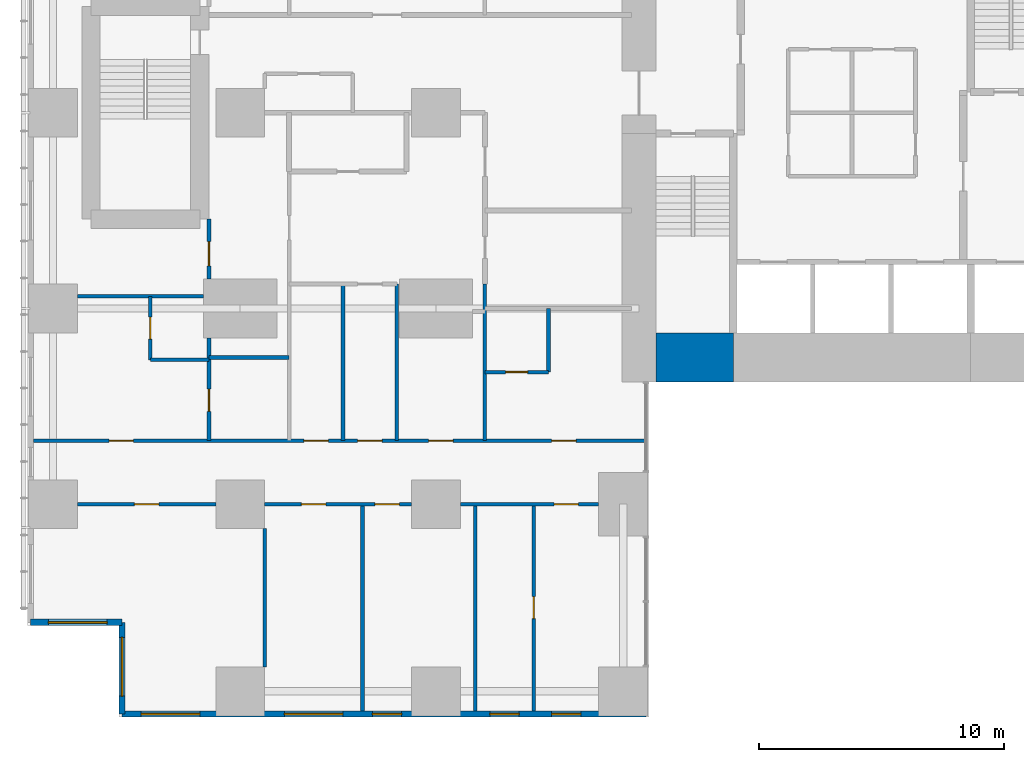
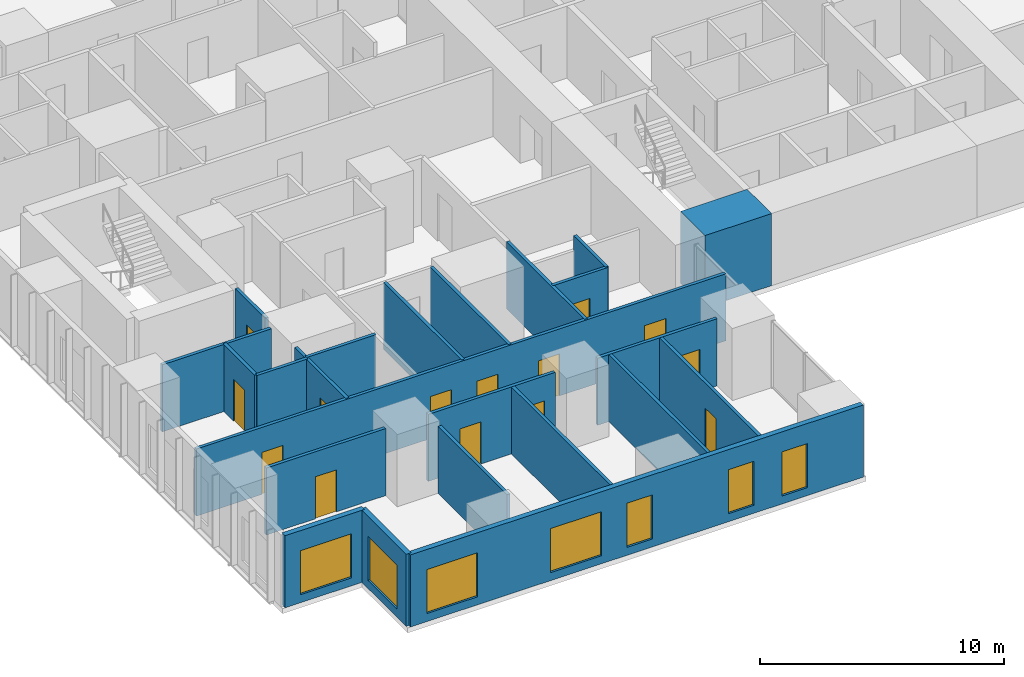
# One storey, part 12 of 20: 23 walls, 14 doors, 7 windows, 21 openings.
"""IFC4 building model written with IfcOpenShell, lengths in metres."""

from ifc_helpers import new_model, si_unit, direction, frame, frame_2d, origin, place, context, subcontext, project, spatial, rectangle, extrude, material, layer, layer_set, type_object, element, fill, save


model = new_model("IFC4")

# Units and contexts
model_context = context("Model", 3, precision=1e-05, world=origin(), true_north=direction((0.0, 1.0)))
body_context = subcontext(model_context, "Body", "Model", "MODEL_VIEW")
ifc_project = project(units=[si_unit("LENGTHUNIT", "METRE"), si_unit("AREAUNIT", "SQUARE_METRE"), si_unit("VOLUMEUNIT", "CUBIC_METRE"), si_unit("PLANEANGLEUNIT", "RADIAN"), si_unit("MASSUNIT", "GRAM", prefix="KILO")], contexts=[model_context])

# Site, building, storey
site_placement = place(None, origin())
site = spatial("IfcSite", under=ifc_project, at=site_placement, CompositionType="ELEMENT")
building_placement = place(site_placement, origin())
building = spatial("IfcBuilding", under=site, at=building_placement, Name="Cleftline Residences", CompositionType="ELEMENT")
storey_placement = place(building_placement, frame((0.0, 0.0, 139.39990234375)))
storey = spatial("IfcBuildingStorey", under=building, at=storey_placement, Name="L36", CompositionType="ELEMENT", Elevation=139.39990234375)

# Wall
ifc_material_1 = material(Name="Concrete B70", Category="concrete")
ifc_layer_1 = layer(ifc_material_1, 2.0)
ifc_layer_set_1 = layer_set([ifc_layer_1], Name="CORE WALL 2000")
wall_type_1 = type_object("IfcWallType", Name="CORE WALL 2000", PredefinedType="SHEAR", material=ifc_layer_set_1)
wall_1_placement = place(storey_placement, frame((25.0, 14.0, 0.0), z_axis=(0.0, 0.0, 1.0), x_axis=(1.0, 0.0, 0.0)))
element("IfcWall", 1, at=wall_1_placement, inside=storey, type_object=wall_type_1, Name="Core wall S1", PredefinedType="SHEAR", context=body_context, shape_type="SweptSolid", body=[
    extrude(rectangle(XDim=3.14990234375, YDim=2.0, at=frame_2d((1.574951171875, 0.0))), origin(), (0.0, 0.0, 1.0), 3.60009765625),
])

# Wall, opening, window
ifc_material_2 = material(Name="Rendered reinforced concrete blockwork", Category="masonry")
ifc_layer_2 = layer(ifc_material_2, 0.25)
ifc_layer_set_2 = layer_set([ifc_layer_2], Name="EXTERNAL WALL 250")
wall_type_2 = type_object("IfcWallType", Name="EXTERNAL WALL 250", PredefinedType="SOLIDWALL", material=ifc_layer_set_2)
wall_2_placement = place(storey_placement, frame((-0.574951171875, 3.175048828125, 0.0), z_axis=(0.0, 0.0, 1.0), x_axis=(1.0, 0.0, 0.0)))
wall_2 = element("IfcWall", 2, at=wall_2_placement, inside=storey, type_object=wall_type_2, Name="External wall", PredefinedType="SOLIDWALL", context=body_context, shape_type="SweptSolid", body=[
    extrude(rectangle(XDim=3.75, YDim=0.25, at=frame_2d((1.875, 0.0))), origin(), (0.0, 0.0, 1.0), 3.60009765625),
])
opening_1_placement = place(wall_2_placement, frame((0.737548828125, 0.0, 0.39990234375)))
opening_1 = element("IfcOpeningElement", 3, at=opening_1_placement, cuts=wall_2, Name="Opening W12", PredefinedType="OPENING", context=body_context, shape_type="SweptSolid", body=[
    extrude(rectangle(XDim=2.39990234375, YDim=2.199951171875, at=frame_2d((1.199951171875, 1.10009765625))), frame((0.0, 0.135009765625, 0.0), z_axis=(0.0, -1.0, 0.0), x_axis=(1.0, 0.0, 0.0)), (0.0, 0.0, 1.0), 0.27001953125),
])
ifc_material_3 = material(Name="Aluminium frame, clear double glazing", Category="aluminium")
window_type_1 = type_object("IfcWindowType", Name="WINDOW 2400X2200", PartitioningType="DOUBLE_PANEL_VERTICAL", PredefinedType="WINDOW", material=ifc_material_3)
window_1_placement = place(opening_1_placement, origin())
window_1 = element("IfcWindow", 4, at=window_1_placement, inside=storey, type_object=window_type_1, Name="Window", OverallHeight=2.199951171875, OverallWidth=2.39990234375, PartitioningType="SINGLE_PANEL", PredefinedType="WINDOW", context=body_context, shape_type="SweptSolid", body=[
    extrude(rectangle(XDim=2.39990234375, YDim=2.199951171875, at=frame_2d((1.199951171875, 1.10009765625))), frame((0.0, 0.030029296875, 0.0), z_axis=(0.0, -1.0, 0.0), x_axis=(1.0, 0.0, 0.0)), (0.0, 0.0, 1.0), 0.06005859375),
])
fill(opening_1, window_1)

wall_3_placement = place(storey_placement, frame((3.175048828125, 3.175048828125, 0.0), z_axis=(0.0, 0.0, 1.0), x_axis=(0.0, -1.0, 0.0)))
wall_3 = element("IfcWall", 5, at=wall_3_placement, inside=storey, type_object=wall_type_2, Name="External wall", PredefinedType="SOLIDWALL", context=body_context, shape_type="SweptSolid", body=[
    extrude(rectangle(XDim=3.75, YDim=0.25, at=frame_2d((1.875, 0.0))), origin(), (0.0, 0.0, 1.0), 3.60009765625),
])
opening_2_placement = place(wall_3_placement, frame((0.612548828125, 0.0, 0.39990234375)))
opening_2 = element("IfcOpeningElement", 6, at=opening_2_placement, cuts=wall_3, Name="Opening W12", PredefinedType="OPENING", context=body_context, shape_type="SweptSolid", body=[
    extrude(rectangle(XDim=2.39990234375, YDim=2.199951171875, at=frame_2d((1.199951171875, 1.10009765625))), frame((0.0, 0.135009765625, 0.0), z_axis=(0.0, -1.0, 0.0), x_axis=(1.0, 0.0, 0.0)), (0.0, 0.0, 1.0), 0.27001953125),
])
window_2_placement = place(opening_2_placement, origin())
window_2 = element("IfcWindow", 7, at=window_2_placement, inside=storey, type_object=window_type_1, Name="Window", OverallHeight=2.199951171875, OverallWidth=2.39990234375, PartitioningType="SINGLE_PANEL", PredefinedType="WINDOW", context=body_context, shape_type="SweptSolid", body=[
    extrude(rectangle(XDim=2.39990234375, YDim=2.199951171875, at=frame_2d((1.199951171875, 1.10009765625))), frame((0.0, 0.030029296875, 0.0), z_axis=(0.0, -1.0, 0.0), x_axis=(1.0, 0.0, 0.0)), (0.0, 0.0, 1.0), 0.06005859375),
])
fill(opening_2, window_2)

# Wall, openings, windows
wall_4_placement = place(storey_placement, frame((3.175048828125, -0.574951171875, 0.0), z_axis=(0.0, 0.0, 1.0), x_axis=(1.0, 0.0, 0.0)))
wall_4 = element("IfcWall", 8, at=wall_4_placement, inside=storey, type_object=wall_type_2, Name="External wall", PredefinedType="SOLIDWALL", context=body_context, shape_type="SweptSolid", body=[
    extrude(rectangle(XDim=21.39990234375, YDim=0.25, at=frame_2d((10.699951171875, 0.0))), origin(), (0.0, 0.0, 1.0), 3.60009765625),
])
opening_3_placement = place(wall_4_placement, frame((0.77490234375, 0.0, 0.39990234375)))
opening_3 = element("IfcOpeningElement", 9, at=opening_3_placement, cuts=wall_4, Name="Opening W12", PredefinedType="OPENING", context=body_context, shape_type="SweptSolid", body=[
    extrude(rectangle(XDim=2.39990234375, YDim=2.199951171875, at=frame_2d((1.199951171875, 1.10009765625))), frame((0.0, 0.135009765625, 0.0), z_axis=(0.0, -1.0, 0.0), x_axis=(1.0, 0.0, 0.0)), (0.0, 0.0, 1.0), 0.27001953125),
])
opening_4_placement = place(wall_4_placement, frame((6.625, 0.0, 0.39990234375)))
opening_4 = element("IfcOpeningElement", 10, at=opening_4_placement, cuts=wall_4, Name="Opening W12", PredefinedType="OPENING", context=body_context, shape_type="SweptSolid", body=[
    extrude(rectangle(XDim=2.39990234375, YDim=2.199951171875, at=frame_2d((1.199951171875, 1.10009765625))), frame((0.0, 0.135009765625, 0.0), z_axis=(0.0, -1.0, 0.0), x_axis=(1.0, 0.0, 0.0)), (0.0, 0.0, 1.0), 0.27001953125),
])
opening_5_placement = place(wall_4_placement, frame((10.22509765625, 0.0, 0.39990234375)))
opening_5 = element("IfcOpeningElement", 11, at=opening_5_placement, cuts=wall_4, Name="Opening W11", PredefinedType="OPENING", context=body_context, shape_type="SweptSolid", body=[
    extrude(rectangle(XDim=1.199951171875, YDim=2.199951171875, at=frame_2d((0.60009765625, 1.10009765625))), frame((0.0, 0.135009765625, 0.0), z_axis=(0.0, -1.0, 0.0), x_axis=(1.0, 0.0, 0.0)), (0.0, 0.0, 1.0), 0.27001953125),
])
opening_6_placement = place(wall_4_placement, frame((15.02490234375, 0.0, 0.39990234375)))
opening_6 = element("IfcOpeningElement", 12, at=opening_6_placement, cuts=wall_4, Name="Opening W11", PredefinedType="OPENING", context=body_context, shape_type="SweptSolid", body=[
    extrude(rectangle(XDim=1.199951171875, YDim=2.199951171875, at=frame_2d((0.60009765625, 1.10009765625))), frame((0.0, 0.135009765625, 0.0), z_axis=(0.0, -1.0, 0.0), x_axis=(1.0, 0.0, 0.0)), (0.0, 0.0, 1.0), 0.27001953125),
])
opening_7_placement = place(wall_4_placement, frame((17.550048828125, 0.0, 0.39990234375)))
opening_7 = element("IfcOpeningElement", 13, at=opening_7_placement, cuts=wall_4, Name="Opening W11", PredefinedType="OPENING", context=body_context, shape_type="SweptSolid", body=[
    extrude(rectangle(XDim=1.199951171875, YDim=2.199951171875, at=frame_2d((0.60009765625, 1.10009765625))), frame((0.0, 0.135009765625, 0.0), z_axis=(0.0, -1.0, 0.0), x_axis=(1.0, 0.0, 0.0)), (0.0, 0.0, 1.0), 0.27001953125),
])
ifc_material_4 = material(Name="Aluminium frame, clear double glazing", Category="aluminium")
window_type_2 = type_object("IfcWindowType", Name="WINDOW 1200X2200", PartitioningType="DOUBLE_PANEL_VERTICAL", PredefinedType="WINDOW", material=ifc_material_4)
window_3_placement = place(opening_5_placement, origin())
window_3 = element("IfcWindow", 14, at=window_3_placement, inside=storey, type_object=window_type_2, Name="Window", OverallHeight=2.199951171875, OverallWidth=1.199951171875, PartitioningType="SINGLE_PANEL", PredefinedType="WINDOW", context=body_context, shape_type="SweptSolid", body=[
    extrude(rectangle(XDim=1.199951171875, YDim=2.199951171875, at=frame_2d((0.60009765625, 1.10009765625))), frame((0.0, 0.030029296875, 0.0), z_axis=(0.0, -1.0, 0.0), x_axis=(1.0, 0.0, 0.0)), (0.0, 0.0, 1.0), 0.06005859375),
])
fill(opening_5, window_3)
window_4_placement = place(opening_6_placement, origin())
window_4 = element("IfcWindow", 15, at=window_4_placement, inside=storey, type_object=window_type_2, Name="Window", OverallHeight=2.199951171875, OverallWidth=1.199951171875, PartitioningType="SINGLE_PANEL", PredefinedType="WINDOW", context=body_context, shape_type="SweptSolid", body=[
    extrude(rectangle(XDim=1.199951171875, YDim=2.199951171875, at=frame_2d((0.60009765625, 1.10009765625))), frame((0.0, 0.030029296875, 0.0), z_axis=(0.0, -1.0, 0.0), x_axis=(1.0, 0.0, 0.0)), (0.0, 0.0, 1.0), 0.06005859375),
])
fill(opening_6, window_4)
window_5_placement = place(opening_7_placement, origin())
window_5 = element("IfcWindow", 16, at=window_5_placement, inside=storey, type_object=window_type_2, Name="Window", OverallHeight=2.199951171875, OverallWidth=1.199951171875, PartitioningType="SINGLE_PANEL", PredefinedType="WINDOW", context=body_context, shape_type="SweptSolid", body=[
    extrude(rectangle(XDim=1.199951171875, YDim=2.199951171875, at=frame_2d((0.60009765625, 1.10009765625))), frame((0.0, 0.030029296875, 0.0), z_axis=(0.0, -1.0, 0.0), x_axis=(1.0, 0.0, 0.0)), (0.0, 0.0, 1.0), 0.06005859375),
])
fill(opening_7, window_5)
window_6_placement = place(opening_3_placement, origin())
window_6 = element("IfcWindow", 17, at=window_6_placement, inside=storey, type_object=window_type_1, Name="Window", OverallHeight=2.199951171875, OverallWidth=2.39990234375, PartitioningType="SINGLE_PANEL", PredefinedType="WINDOW", context=body_context, shape_type="SweptSolid", body=[
    extrude(rectangle(XDim=2.39990234375, YDim=2.199951171875, at=frame_2d((1.199951171875, 1.10009765625))), frame((0.0, 0.030029296875, 0.0), z_axis=(0.0, -1.0, 0.0), x_axis=(1.0, 0.0, 0.0)), (0.0, 0.0, 1.0), 0.06005859375),
])
fill(opening_3, window_6)
window_7_placement = place(opening_4_placement, origin())
window_7 = element("IfcWindow", 18, at=window_7_placement, inside=storey, type_object=window_type_1, Name="Window", OverallHeight=2.199951171875, OverallWidth=2.39990234375, PartitioningType="SINGLE_PANEL", PredefinedType="WINDOW", context=body_context, shape_type="SweptSolid", body=[
    extrude(rectangle(XDim=2.39990234375, YDim=2.199951171875, at=frame_2d((1.199951171875, 1.10009765625))), frame((0.0, 0.030029296875, 0.0), z_axis=(0.0, -1.0, 0.0), x_axis=(1.0, 0.0, 0.0)), (0.0, 0.0, 1.0), 0.06005859375),
])
fill(opening_4, window_7)

# Wall, opening, door
ifc_material_5 = material(Name="Gypsum board on steel studs", Category="steel")
ifc_layer_3 = layer(ifc_material_5, 0.14990234375)
ifc_layer_set_3 = layer_set([ifc_layer_3], Name="PARTITION 150")
wall_type_3 = type_object("IfcWallType", Name="PARTITION 150", PredefinedType="PARTITIONING", material=ifc_layer_set_3)
wall_5_placement = place(storey_placement, frame((1.35009765625, 8.0, 0.0), z_axis=(0.0, 0.0, 1.0), x_axis=(1.0, 0.0, 0.0)))
wall_5 = element("IfcWall", 19, at=wall_5_placement, inside=storey, type_object=wall_type_3, Name="Partition", PredefinedType="PARTITIONING", context=body_context, shape_type="SweptSolid", body=[
    extrude(rectangle(XDim=5.64990234375, YDim=0.14990234375, at=frame_2d((2.824951171875, 0.0))), origin(), (0.0, 0.0, 1.0), 3.35009765625),
])
opening_8_placement = place(wall_5_placement, frame((2.324951171875, 0.0, 0.0)))
opening_8 = element("IfcOpeningElement", 20, at=opening_8_placement, cuts=wall_5, Name="Opening D2", PredefinedType="OPENING", context=body_context, shape_type="SweptSolid", body=[
    extrude(rectangle(XDim=1.0, YDim=2.10009765625, at=frame_2d((0.5, 1.050048828125))), frame((0.0, 0.0849609375, 0.0), z_axis=(0.0, -1.0, 0.0), x_axis=(1.0, 0.0, 0.0)), (0.0, 0.0, 1.0), 0.169921875),
])
ifc_material_6 = material(Name="Timber veneer on solid core", Category="wood")
door_type_1 = type_object("IfcDoorType", Name="DOOR 1000X2100", OperationType="SINGLE_SWING_LEFT", PredefinedType="DOOR", material=ifc_material_6)
door_1_placement = place(opening_8_placement, origin())
door_1 = element("IfcDoor", 21, at=door_1_placement, inside=storey, type_object=door_type_1, Name="Door to living room", OperationType="SINGLE_SWING_LEFT", OverallHeight=2.10009765625, OverallWidth=1.0, PredefinedType="DOOR", context=body_context, shape_type="SweptSolid", body=[
    extrude(rectangle(XDim=1.0, YDim=2.10009765625, at=frame_2d((0.5, 1.050048828125))), frame((0.0, 0.02490234375, 0.0), z_axis=(0.0, -1.0, 0.0), x_axis=(1.0, 0.0, 0.0)), (0.0, 0.0, 1.0), 0.050048828125),
])
fill(opening_8, door_1)

# Wall, openings, doors
wall_6_placement = place(storey_placement, frame((9.0, 8.0, 0.0), z_axis=(0.0, 0.0, 1.0), x_axis=(1.0, 0.0, 0.0)))
wall_6 = element("IfcWall", 22, at=wall_6_placement, inside=storey, type_object=wall_type_3, Name="Partition", PredefinedType="PARTITIONING", context=body_context, shape_type="SweptSolid", body=[
    extrude(rectangle(XDim=6.0, YDim=0.14990234375, at=frame_2d((3.0, 0.0))), origin(), (0.0, 0.0, 1.0), 3.35009765625),
])
opening_9_placement = place(wall_6_placement, frame((1.5, 0.0, 0.0)))
opening_9 = element("IfcOpeningElement", 23, at=opening_9_placement, cuts=wall_6, Name="Opening D2", PredefinedType="OPENING", context=body_context, shape_type="SweptSolid", body=[
    extrude(rectangle(XDim=1.0, YDim=2.10009765625, at=frame_2d((0.5, 1.050048828125))), frame((0.0, 0.0849609375, 0.0), z_axis=(0.0, -1.0, 0.0), x_axis=(1.0, 0.0, 0.0)), (0.0, 0.0, 1.0), 0.169921875),
])
opening_10_placement = place(wall_6_placement, frame((4.5, 0.0, 0.0)))
opening_10 = element("IfcOpeningElement", 24, at=opening_10_placement, cuts=wall_6, Name="Opening D2", PredefinedType="OPENING", context=body_context, shape_type="SweptSolid", body=[
    extrude(rectangle(XDim=1.0, YDim=2.10009765625, at=frame_2d((0.5, 1.050048828125))), frame((0.0, 0.0849609375, 0.0), z_axis=(0.0, -1.0, 0.0), x_axis=(1.0, 0.0, 0.0)), (0.0, 0.0, 1.0), 0.169921875),
])
door_2_placement = place(opening_9_placement, origin())
door_2 = element("IfcDoor", 25, at=door_2_placement, inside=storey, type_object=door_type_1, Name="Door to dining room", OperationType="SINGLE_SWING_RIGHT", OverallHeight=2.10009765625, OverallWidth=1.0, PredefinedType="DOOR", context=body_context, shape_type="SweptSolid", body=[
    extrude(rectangle(XDim=1.0, YDim=2.10009765625, at=frame_2d((0.5, 1.050048828125))), frame((0.0, 0.02490234375, 0.0), z_axis=(0.0, -1.0, 0.0), x_axis=(1.0, 0.0, 0.0)), (0.0, 0.0, 1.0), 0.050048828125),
])
fill(opening_9, door_2)
door_3_placement = place(opening_10_placement, origin())
door_3 = element("IfcDoor", 26, at=door_3_placement, inside=storey, type_object=door_type_1, Name="Door to show kitchen", OperationType="SINGLE_SWING_LEFT", OverallHeight=2.10009765625, OverallWidth=1.0, PredefinedType="DOOR", context=body_context, shape_type="SweptSolid", body=[
    extrude(rectangle(XDim=1.0, YDim=2.10009765625, at=frame_2d((0.5, 1.050048828125))), frame((0.0, 0.02490234375, 0.0), z_axis=(0.0, -1.0, 0.0), x_axis=(1.0, 0.0, 0.0)), (0.0, 0.0, 1.0), 0.050048828125),
])
fill(opening_10, door_3)

# Wall, opening, door
wall_7_placement = place(storey_placement, frame((17.0, 8.0, 0.0), z_axis=(0.0, 0.0, 1.0), x_axis=(1.0, 0.0, 0.0)))
wall_7 = element("IfcWall", 27, at=wall_7_placement, inside=storey, type_object=wall_type_3, Name="Partition", PredefinedType="PARTITIONING", context=body_context, shape_type="SweptSolid", body=[
    extrude(rectangle(XDim=5.64990234375, YDim=0.14990234375, at=frame_2d((2.824951171875, 0.0))), origin(), (0.0, 0.0, 1.0), 3.35009765625),
])
opening_11_placement = place(wall_7_placement, frame((3.824951171875, 0.0, 0.0)))
opening_11 = element("IfcOpeningElement", 28, at=opening_11_placement, cuts=wall_7, Name="Opening D2", PredefinedType="OPENING", context=body_context, shape_type="SweptSolid", body=[
    extrude(rectangle(XDim=1.0, YDim=2.10009765625, at=frame_2d((0.5, 1.050048828125))), frame((0.0, 0.0849609375, 0.0), z_axis=(0.0, -1.0, 0.0), x_axis=(1.0, 0.0, 0.0)), (0.0, 0.0, 1.0), 0.169921875),
])
door_4_placement = place(opening_11_placement, origin())
door_4 = element("IfcDoor", 29, at=door_4_placement, inside=storey, type_object=door_type_1, Name="Door to bedroom 2", OperationType="SINGLE_SWING_LEFT", OverallHeight=2.10009765625, OverallWidth=1.0, PredefinedType="DOOR", context=body_context, shape_type="SweptSolid", body=[
    extrude(rectangle(XDim=1.0, YDim=2.10009765625, at=frame_2d((0.5, 1.050048828125))), frame((0.0, 0.02490234375, 0.0), z_axis=(0.0, -1.0, 0.0), x_axis=(1.0, 0.0, 0.0)), (0.0, 0.0, 1.0), 0.050048828125),
])
fill(opening_11, door_4)

# Wall, openings, doors
wall_8_placement = place(storey_placement, frame((-0.449951171875, 10.60009765625, 0.0), z_axis=(0.0, 0.0, 1.0), x_axis=(1.0, 0.0, 0.0)))
wall_8 = element("IfcWall", 30, at=wall_8_placement, inside=storey, type_object=wall_type_3, Name="Partition", PredefinedType="PARTITIONING", context=body_context, shape_type="SweptSolid", body=[
    extrude(rectangle(XDim=25.010986328125, YDim=0.14990234375, at=frame_2d((12.50537109375, 0.0))), origin(), (0.0, 0.0, 1.0), 3.35009765625),
])
opening_12_placement = place(wall_8_placement, frame((13.25, 0.0, 0.0)))
opening_12 = element("IfcOpeningElement", 31, at=opening_12_placement, cuts=wall_8, Name="Opening D2", PredefinedType="OPENING", context=body_context, shape_type="SweptSolid", body=[
    extrude(rectangle(XDim=1.0, YDim=2.10009765625, at=frame_2d((0.5, 1.050048828125))), frame((0.0, 0.0849609375, 0.0), z_axis=(0.0, -1.0, 0.0), x_axis=(1.0, 0.0, 0.0)), (0.0, 0.0, 1.0), 0.169921875),
])
opening_13_placement = place(wall_8_placement, frame((3.08740234375, 0.0, 0.0)))
opening_13 = element("IfcOpeningElement", 32, at=opening_13_placement, cuts=wall_8, Name="Opening D2", PredefinedType="OPENING", context=body_context, shape_type="SweptSolid", body=[
    extrude(rectangle(XDim=1.0, YDim=2.10009765625, at=frame_2d((0.5, 1.050048828125))), frame((0.0, 0.0849609375, 0.0), z_axis=(0.0, -1.0, 0.0), x_axis=(1.0, 0.0, 0.0)), (0.0, 0.0, 1.0), 0.169921875),
])
opening_14_placement = place(wall_8_placement, frame((11.050048828125, 0.0, 0.0)))
opening_14 = element("IfcOpeningElement", 33, at=opening_14_placement, cuts=wall_8, Name="Opening D2", PredefinedType="OPENING", context=body_context, shape_type="SweptSolid", body=[
    extrude(rectangle(XDim=1.0, YDim=2.10009765625, at=frame_2d((0.5, 1.050048828125))), frame((0.0, 0.0849609375, 0.0), z_axis=(0.0, -1.0, 0.0), x_axis=(1.0, 0.0, 0.0)), (0.0, 0.0, 1.0), 0.169921875),
])
opening_15_placement = place(wall_8_placement, frame((16.14990234375, 0.0, 0.0)))
opening_15 = element("IfcOpeningElement", 34, at=opening_15_placement, cuts=wall_8, Name="Opening D2", PredefinedType="OPENING", context=body_context, shape_type="SweptSolid", body=[
    extrude(rectangle(XDim=1.0, YDim=2.10009765625, at=frame_2d((0.5, 1.050048828125))), frame((0.0, 0.0849609375, 0.0), z_axis=(0.0, -1.0, 0.0), x_axis=(1.0, 0.0, 0.0)), (0.0, 0.0, 1.0), 0.169921875),
])
opening_16_placement = place(wall_8_placement, frame((21.175048828125, 0.0, 0.0)))
opening_16 = element("IfcOpeningElement", 35, at=opening_16_placement, cuts=wall_8, Name="Opening D2", PredefinedType="OPENING", context=body_context, shape_type="SweptSolid", body=[
    extrude(rectangle(XDim=1.0, YDim=2.10009765625, at=frame_2d((0.5, 1.050048828125))), frame((0.0, 0.0849609375, 0.0), z_axis=(0.0, -1.0, 0.0), x_axis=(1.0, 0.0, 0.0)), (0.0, 0.0, 1.0), 0.169921875),
])
door_5_placement = place(opening_12_placement, origin())
door_5 = element("IfcDoor", 36, at=door_5_placement, inside=storey, type_object=door_type_1, Name="Door to residence hall", OperationType="SINGLE_SWING_LEFT", OverallHeight=2.10009765625, OverallWidth=1.0, PredefinedType="DOOR", context=body_context, shape_type="SweptSolid", body=[
    extrude(rectangle(XDim=1.0, YDim=2.10009765625, at=frame_2d((0.5, 1.050048828125))), frame((0.0, 0.02490234375, 0.0), z_axis=(0.0, -1.0, 0.0), x_axis=(1.0, 0.0, 0.0)), (0.0, 0.0, 1.0), 0.050048828125),
])
fill(opening_12, door_5)
door_6_placement = place(opening_13_placement, origin())
door_6 = element("IfcDoor", 37, at=door_6_placement, inside=storey, type_object=door_type_1, Name="Door to master bedroom", OperationType="SINGLE_SWING_RIGHT", OverallHeight=2.10009765625, OverallWidth=1.0, PredefinedType="DOOR", context=body_context, shape_type="SweptSolid", body=[
    extrude(rectangle(XDim=1.0, YDim=2.10009765625, at=frame_2d((0.5, 1.050048828125))), frame((0.0, 0.02490234375, 0.0), z_axis=(0.0, -1.0, 0.0), x_axis=(1.0, 0.0, 0.0)), (0.0, 0.0, 1.0), 0.050048828125),
])
fill(opening_13, door_6)
door_7_placement = place(opening_14_placement, origin())
door_7 = element("IfcDoor", 38, at=door_7_placement, inside=storey, type_object=door_type_1, Name="Door to wet kitchen", OperationType="SINGLE_SWING_RIGHT", OverallHeight=2.10009765625, OverallWidth=1.0, PredefinedType="DOOR", context=body_context, shape_type="SweptSolid", body=[
    extrude(rectangle(XDim=1.0, YDim=2.10009765625, at=frame_2d((0.5, 1.050048828125))), frame((0.0, 0.02490234375, 0.0), z_axis=(0.0, -1.0, 0.0), x_axis=(1.0, 0.0, 0.0)), (0.0, 0.0, 1.0), 0.050048828125),
])
fill(opening_14, door_7)
door_8_placement = place(opening_15_placement, origin())
door_8 = element("IfcDoor", 39, at=door_8_placement, inside=storey, type_object=door_type_1, Name="Door to family room", OperationType="SINGLE_SWING_LEFT", OverallHeight=2.10009765625, OverallWidth=1.0, PredefinedType="DOOR", context=body_context, shape_type="SweptSolid", body=[
    extrude(rectangle(XDim=1.0, YDim=2.10009765625, at=frame_2d((0.5, 1.050048828125))), frame((0.0, 0.02490234375, 0.0), z_axis=(0.0, -1.0, 0.0), x_axis=(1.0, 0.0, 0.0)), (0.0, 0.0, 1.0), 0.050048828125),
])
fill(opening_15, door_8)
door_9_placement = place(opening_16_placement, origin())
door_9 = element("IfcDoor", 40, at=door_9_placement, inside=storey, type_object=door_type_1, Name="Door to bedroom 3", OperationType="SINGLE_SWING_LEFT", OverallHeight=2.10009765625, OverallWidth=1.0, PredefinedType="DOOR", context=body_context, shape_type="SweptSolid", body=[
    extrude(rectangle(XDim=1.0, YDim=2.10009765625, at=frame_2d((0.5, 1.050048828125))), frame((0.0, 0.02490234375, 0.0), z_axis=(0.0, -1.0, 0.0), x_axis=(1.0, 0.0, 0.0)), (0.0, 0.0, 1.0), 0.050048828125),
])
fill(opening_16, door_9)

# Wall, opening, door
wall_9_placement = place(storey_placement, frame((18.0, 13.39990234375, 0.0), z_axis=(0.0, 0.0, 1.0), x_axis=(1.0, 0.0, 0.0)))
wall_9 = element("IfcWall", 41, at=wall_9_placement, inside=storey, type_object=wall_type_3, Name="Partition", PredefinedType="PARTITIONING", context=body_context, shape_type="SweptSolid", body=[
    extrude(rectangle(XDim=2.60009765625, YDim=0.14990234375, at=frame_2d((1.300048828125, 0.0))), origin(), (0.0, 0.0, 1.0), 3.35009765625),
])
opening_17_placement = place(wall_9_placement, frame((0.85009765625, 0.0, 0.0)))
opening_17 = element("IfcOpeningElement", 42, at=opening_17_placement, cuts=wall_9, Name="Opening D1", PredefinedType="OPENING", context=body_context, shape_type="SweptSolid", body=[
    extrude(rectangle(XDim=0.89990234375, YDim=2.10009765625, at=frame_2d((0.449951171875, 1.050048828125))), frame((0.0, 0.0849609375, 0.0), z_axis=(0.0, -1.0, 0.0), x_axis=(1.0, 0.0, 0.0)), (0.0, 0.0, 1.0), 0.169921875),
])
ifc_material_7 = material(Name="Timber veneer on solid core", Category="wood")
door_type_2 = type_object("IfcDoorType", Name="DOOR 900X2100", OperationType="SINGLE_SWING_LEFT", PredefinedType="DOOR", material=ifc_material_7)
door_10_placement = place(opening_17_placement, origin())
door_10 = element("IfcDoor", 43, at=door_10_placement, inside=storey, type_object=door_type_2, Name="Door to en-suite bathroom 3", OperationType="SINGLE_SWING_LEFT", OverallHeight=2.10009765625, OverallWidth=0.89990234375, PredefinedType="DOOR", context=body_context, shape_type="SweptSolid", body=[
    extrude(rectangle(XDim=0.89990234375, YDim=2.10009765625, at=frame_2d((0.449951171875, 1.050048828125))), frame((0.0, 0.02490234375, 0.0), z_axis=(0.0, -1.0, 0.0), x_axis=(1.0, 0.0, 0.0)), (0.0, 0.0, 1.0), 0.050048828125),
])
fill(opening_17, door_10)

# Walls
wall_10_placement = place(storey_placement, frame((4.324951171875, 13.89990234375, 0.0), z_axis=(0.0, 0.0, 1.0), x_axis=(1.0, 0.0, 0.0)))
element("IfcWall", 44, at=wall_10_placement, inside=storey, type_object=wall_type_3, Name="Partition", PredefinedType="PARTITIONING", context=body_context, shape_type="SweptSolid", body=[
    extrude(rectangle(XDim=2.400146484375, YDim=0.14990234375, at=frame_2d((1.2001953125, 0.0))), origin(), (0.0, 0.0, 1.0), 3.35009765625),
])
wall_11_placement = place(storey_placement, frame((6.72509765625, 14.0, 0.0), z_axis=(0.0, 0.0, 1.0), x_axis=(1.0, 0.0, 0.0)))
element("IfcWall", 45, at=wall_11_placement, inside=storey, type_object=wall_type_3, Name="Partition", PredefinedType="PARTITIONING", context=body_context, shape_type="SweptSolid", body=[
    extrude(rectangle(XDim=3.27490234375, YDim=0.14990234375, at=frame_2d((1.637451171875, 0.0))), origin(), (0.0, 0.0, 1.0), 3.35009765625),
])
wall_12_placement = place(storey_placement, frame((1.35009765625, 16.5, 0.0), z_axis=(0.0, 0.0, 1.0), x_axis=(1.0, 0.0, 0.0)))
element("IfcWall", 46, at=wall_12_placement, inside=storey, type_object=wall_type_3, Name="Partition", PredefinedType="PARTITIONING", context=body_context, shape_type="SweptSolid", body=[
    extrude(rectangle(XDim=5.14990234375, YDim=0.14990234375, at=frame_2d((2.574951171875, 0.0))), origin(), (0.0, 0.0, 1.0), 3.35009765625),
])

# Wall, opening, door
wall_13_placement = place(storey_placement, frame((4.324951171875, 13.89990234375, 0.0), z_axis=(0.0, 0.0, 1.0), x_axis=(0.0, 1.0, 0.0)))
wall_13 = element("IfcWall", 47, at=wall_13_placement, inside=storey, type_object=wall_type_3, Name="Partition", PredefinedType="PARTITIONING", context=body_context, shape_type="SweptSolid", body=[
    extrude(rectangle(XDim=2.60009765625, YDim=0.14990234375, at=frame_2d((1.300048828125, 0.0))), origin(), (0.0, 0.0, 1.0), 3.35009765625),
])
opening_18_placement = place(wall_13_placement, frame((0.85009765625, 0.0, 0.0)))
opening_18 = element("IfcOpeningElement", 48, at=opening_18_placement, cuts=wall_13, Name="Opening D1", PredefinedType="OPENING", context=body_context, shape_type="SweptSolid", body=[
    extrude(rectangle(XDim=0.89990234375, YDim=2.10009765625, at=frame_2d((0.449951171875, 1.050048828125))), frame((0.0, 0.0849609375, 0.0), z_axis=(0.0, -1.0, 0.0), x_axis=(1.0, 0.0, 0.0)), (0.0, 0.0, 1.0), 0.169921875),
])
door_11_placement = place(opening_18_placement, origin())
door_11 = element("IfcDoor", 49, at=door_11_placement, inside=storey, type_object=door_type_2, Name="Door to master bathroom", OperationType="SINGLE_SWING_LEFT", OverallHeight=2.10009765625, OverallWidth=0.89990234375, PredefinedType="DOOR", context=body_context, shape_type="SweptSolid", body=[
    extrude(rectangle(XDim=0.89990234375, YDim=2.10009765625, at=frame_2d((0.449951171875, 1.050048828125))), frame((0.0, 0.02490234375, 0.0), z_axis=(0.0, -1.0, 0.0), x_axis=(1.0, 0.0, 0.0)), (0.0, 0.0, 1.0), 0.050048828125),
])
fill(opening_18, door_11)

wall_14_placement = place(storey_placement, frame((6.72509765625, 10.60009765625, 0.0), z_axis=(0.0, 0.0, 1.0), x_axis=(0.0, 1.0, 0.0)))
wall_14 = element("IfcWall", 50, at=wall_14_placement, inside=storey, type_object=wall_type_3, Name="Partition", PredefinedType="PARTITIONING", context=body_context, shape_type="SweptSolid", body=[
    extrude(rectangle(XDim=4.199951171875, YDim=0.14990234375, at=frame_2d((2.10009765625, 0.0))), origin(), (0.0, 0.0, 1.0), 3.35009765625),
])
opening_19_placement = place(wall_14_placement, frame((1.199951171875, 0.0, 0.0)))
opening_19 = element("IfcOpeningElement", 51, at=opening_19_placement, cuts=wall_14, Name="Opening D1", PredefinedType="OPENING", context=body_context, shape_type="SweptSolid", body=[
    extrude(rectangle(XDim=0.89990234375, YDim=2.10009765625, at=frame_2d((0.449951171875, 1.050048828125))), frame((0.0, 0.0849609375, 0.0), z_axis=(0.0, -1.0, 0.0), x_axis=(1.0, 0.0, 0.0)), (0.0, 0.0, 1.0), 0.169921875),
])
door_12_placement = place(opening_19_placement, origin())
door_12 = element("IfcDoor", 52, at=door_12_placement, inside=storey, type_object=door_type_2, Name="Door to master dressing room", OperationType="SINGLE_SWING_RIGHT", OverallHeight=2.10009765625, OverallWidth=0.89990234375, PredefinedType="DOOR", context=body_context, shape_type="SweptSolid", body=[
    extrude(rectangle(XDim=0.89990234375, YDim=2.10009765625, at=frame_2d((0.449951171875, 1.050048828125))), frame((0.0, 0.02490234375, 0.0), z_axis=(0.0, -1.0, 0.0), x_axis=(1.0, 0.0, 0.0)), (0.0, 0.0, 1.0), 0.050048828125),
])
fill(opening_19, door_12)

wall_15_placement = place(storey_placement, frame((6.72509765625, 17.199951171875, 0.0), z_axis=(0.0, 0.0, 1.0), x_axis=(0.0, 1.0, 0.0)))
wall_15 = element("IfcWall", 53, at=wall_15_placement, inside=storey, type_object=wall_type_3, Name="Partition", PredefinedType="PARTITIONING", context=body_context, shape_type="SweptSolid", body=[
    extrude(rectangle(XDim=2.449951171875, YDim=0.14990234375, at=frame_2d((1.22509765625, 0.0))), origin(), (0.0, 0.0, 1.0), 3.35009765625),
])
opening_20_placement = place(wall_15_placement, frame((0.53759765625, 0.0, 0.0)))
opening_20 = element("IfcOpeningElement", 54, at=opening_20_placement, cuts=wall_15, Name="Opening D2", PredefinedType="OPENING", context=body_context, shape_type="SweptSolid", body=[
    extrude(rectangle(XDim=1.0, YDim=2.10009765625, at=frame_2d((0.5, 1.050048828125))), frame((0.0, 0.0849609375, 0.0), z_axis=(0.0, -1.0, 0.0), x_axis=(1.0, 0.0, 0.0)), (0.0, 0.0, 1.0), 0.169921875),
])
door_13_placement = place(opening_20_placement, origin())
door_13 = element("IfcDoor", 55, at=door_13_placement, inside=storey, type_object=door_type_1, Name="Door to winter garden", OperationType="SINGLE_SWING_RIGHT", OverallHeight=2.10009765625, OverallWidth=1.0, PredefinedType="DOOR", context=body_context, shape_type="SweptSolid", body=[
    extrude(rectangle(XDim=1.0, YDim=2.10009765625, at=frame_2d((0.5, 1.050048828125))), frame((0.0, 0.02490234375, 0.0), z_axis=(0.0, -1.0, 0.0), x_axis=(1.0, 0.0, 0.0)), (0.0, 0.0, 1.0), 0.050048828125),
])
fill(opening_20, door_13)

# Walls
wall_16_placement = place(storey_placement, frame((9.0, 1.35009765625, 0.0), z_axis=(0.0, 0.0, 1.0), x_axis=(0.0, 1.0, 0.0)))
element("IfcWall", 56, at=wall_16_placement, inside=storey, type_object=wall_type_3, Name="Partition", PredefinedType="PARTITIONING", context=body_context, shape_type="SweptSolid", body=[
    extrude(rectangle(XDim=5.64990234375, YDim=0.14990234375, at=frame_2d((2.824951171875, 0.0))), origin(), (0.0, 0.0, 1.0), 3.35009765625),
])
wall_17_placement = place(storey_placement, frame((12.199951171875, 10.60009765625, 0.0), z_axis=(0.0, 0.0, 1.0), x_axis=(0.0, 1.0, 0.0)))
element("IfcWall", 57, at=wall_17_placement, inside=storey, type_object=wall_type_3, Name="Partition", PredefinedType="PARTITIONING", context=body_context, shape_type="SweptSolid", body=[
    extrude(rectangle(XDim=6.39990234375, YDim=0.14990234375, at=frame_2d((3.199951171875, 0.0))), origin(), (0.0, 0.0, 1.0), 3.35009765625),
])
wall_18_placement = place(storey_placement, frame((13.0, -0.449951171875, 0.0), z_axis=(0.0, 0.0, 1.0), x_axis=(0.0, 1.0, 0.0)))
element("IfcWall", 58, at=wall_18_placement, inside=storey, type_object=wall_type_3, Name="Partition", PredefinedType="PARTITIONING", context=body_context, shape_type="SweptSolid", body=[
    extrude(rectangle(XDim=8.449951171875, YDim=0.14990234375, at=frame_2d((4.22509765625, 0.0))), origin(), (0.0, 0.0, 1.0), 3.35009765625),
])
wall_19_placement = place(storey_placement, frame((14.39990234375, 10.60009765625, 0.0), z_axis=(0.0, 0.0, 1.0), x_axis=(0.0, 1.0, 0.0)))
element("IfcWall", 59, at=wall_19_placement, inside=storey, type_object=wall_type_3, Name="Partition", PredefinedType="PARTITIONING", context=body_context, shape_type="SweptSolid", body=[
    extrude(rectangle(XDim=6.39990234375, YDim=0.14990234375, at=frame_2d((3.199951171875, 0.0))), origin(), (0.0, 0.0, 1.0), 3.35009765625),
])
wall_20_placement = place(storey_placement, frame((17.60009765625, -0.449951171875, 0.0), z_axis=(0.0, 0.0, 1.0), x_axis=(0.0, 1.0, 0.0)))
element("IfcWall", 60, at=wall_20_placement, inside=storey, type_object=wall_type_3, Name="Partition", PredefinedType="PARTITIONING", context=body_context, shape_type="SweptSolid", body=[
    extrude(rectangle(XDim=8.449951171875, YDim=0.14990234375, at=frame_2d((4.22509765625, 0.0))), origin(), (0.0, 0.0, 1.0), 3.35009765625),
])
wall_21_placement = place(storey_placement, frame((18.0, 10.60009765625, 0.0), z_axis=(0.0, 0.0, 1.0), x_axis=(0.0, 1.0, 0.0)))
element("IfcWall", 61, at=wall_21_placement, inside=storey, type_object=wall_type_3, Name="Partition", PredefinedType="PARTITIONING", context=body_context, shape_type="SweptSolid", body=[
    extrude(rectangle(XDim=6.39990234375, YDim=0.14990234375, at=frame_2d((3.199951171875, 0.0))), origin(), (0.0, 0.0, 1.0), 3.35009765625),
])

# Wall, opening, door
wall_22_placement = place(storey_placement, frame((20.0, -0.449951171875, 0.0), z_axis=(0.0, 0.0, 1.0), x_axis=(0.0, 1.0, 0.0)))
wall_22 = element("IfcWall", 62, at=wall_22_placement, inside=storey, type_object=wall_type_3, Name="Partition", PredefinedType="PARTITIONING", context=body_context, shape_type="SweptSolid", body=[
    extrude(rectangle(XDim=8.449951171875, YDim=0.14990234375, at=frame_2d((4.22509765625, 0.0))), origin(), (0.0, 0.0, 1.0), 3.35009765625),
])
opening_21_placement = place(wall_22_placement, frame((3.77490234375, 0.0, 0.0)))
opening_21 = element("IfcOpeningElement", 63, at=opening_21_placement, cuts=wall_22, Name="Opening D1", PredefinedType="OPENING", context=body_context, shape_type="SweptSolid", body=[
    extrude(rectangle(XDim=0.89990234375, YDim=2.10009765625, at=frame_2d((0.449951171875, 1.050048828125))), frame((0.0, 0.0849609375, 0.0), z_axis=(0.0, -1.0, 0.0), x_axis=(1.0, 0.0, 0.0)), (0.0, 0.0, 1.0), 0.169921875),
])
door_14_placement = place(opening_21_placement, origin())
door_14 = element("IfcDoor", 64, at=door_14_placement, inside=storey, type_object=door_type_2, Name="Door to en-suite bathroom 2", OperationType="SINGLE_SWING_LEFT", OverallHeight=2.10009765625, OverallWidth=0.89990234375, PredefinedType="DOOR", context=body_context, shape_type="SweptSolid", body=[
    extrude(rectangle(XDim=0.89990234375, YDim=2.10009765625, at=frame_2d((0.449951171875, 1.050048828125))), frame((0.0, 0.02490234375, 0.0), z_axis=(0.0, -1.0, 0.0), x_axis=(1.0, 0.0, 0.0)), (0.0, 0.0, 1.0), 0.050048828125),
])
fill(opening_21, door_14)

# Wall
wall_23_placement = place(storey_placement, frame((20.60009765625, 13.39990234375, 0.0), z_axis=(0.0, 0.0, 1.0), x_axis=(0.0, 1.0, 0.0)))
element("IfcWall", 65, at=wall_23_placement, inside=storey, type_object=wall_type_3, Name="Partition", PredefinedType="PARTITIONING", context=body_context, shape_type="SweptSolid", body=[
    extrude(rectangle(XDim=2.60009765625, YDim=0.14990234375, at=frame_2d((1.300048828125, 0.0))), origin(), (0.0, 0.0, 1.0), 3.35009765625),
])

save(model, "model.ifc")
